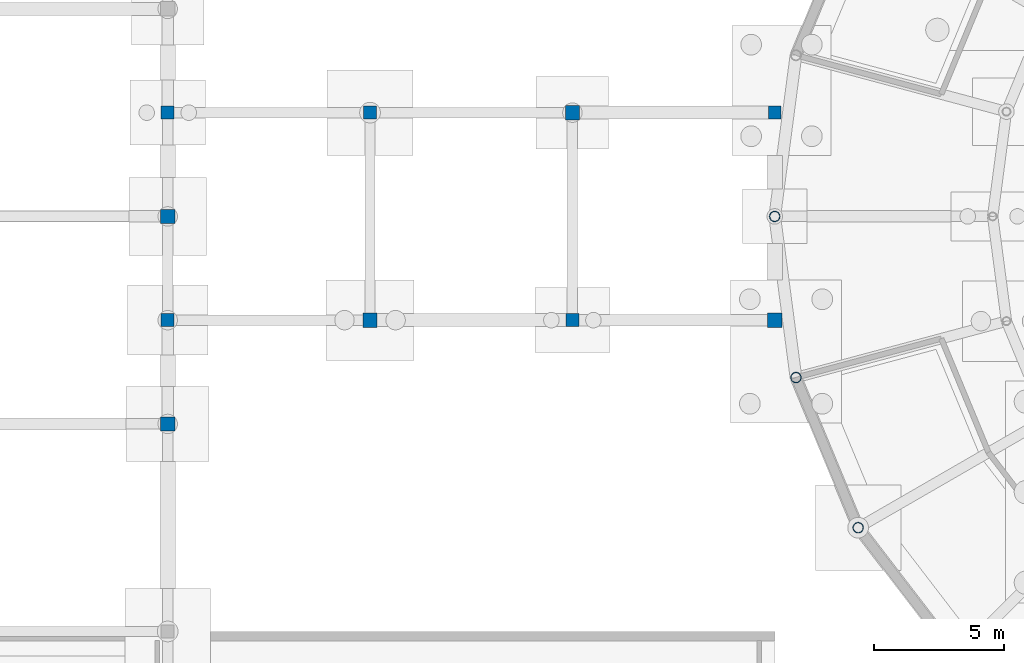
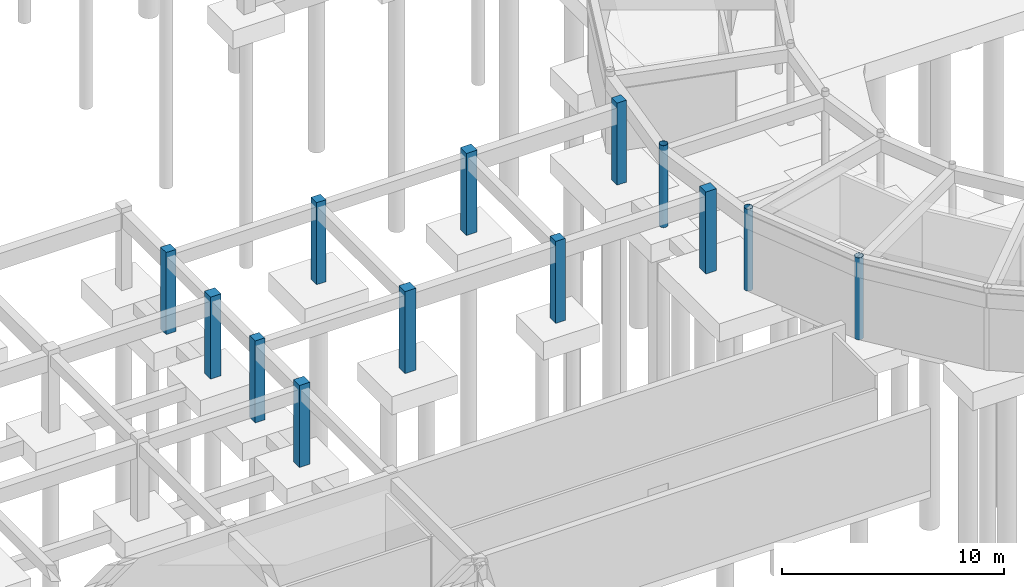
# One storey, part 11 of 43: 13 columns.
"""IFC4 building model written with IfcOpenShell, lengths in metres."""

import ifcopenshell
import ifcopenshell.guid

model = None  # the IFC model being written
_history = None  # IfcOwnerHistory: only IFC2X3 demands one
_inside = {}  # id of a spatial element -> (the spatial element, [elements in it])
_under = {}  # id of a project, library or spatial element -> (it, [spatial elements below it])
_declared = {}  # id of a project -> (the project, [libraries it declares])
_typed = {}  # id of a type object -> (the type object, [elements of that type])
_made_of = {}  # id of a material, layer set ... -> (it, [elements and type objects made of it])


def new_model(schema):
    """Start an empty IFC model of exactly this schema.

    Asked for "IFC4X3", IfcOpenShell would pick the latest addendum, in which some entities
    have other attributes; the version numbers below select the first issue.
    IFC2X3 requires an IfcOwnerHistory on every rooted entity: one is made here for all.
    """
    global model, _history
    if schema == "IFC4X3":
        model = ifcopenshell.file(schema_version=(4, 3, 0, 0))
    else:
        model = ifcopenshell.file(schema=schema)
    _inside.clear()
    _under.clear()
    _declared.clear()
    _typed.clear()
    _made_of.clear()
    _history = None
    if model.schema == "IFC2X3":
        org = make("IfcOrganization", Name="unknown")
        user = make(
            "IfcPersonAndOrganization",
            ThePerson=make("IfcPerson", FamilyName="unknown"),
            TheOrganization=org,
        )
        app = make(
            "IfcApplication",
            ApplicationDeveloper=org,
            Version="unknown",
            ApplicationFullName="unknown",
            ApplicationIdentifier="unknown",
        )
        _history = make(
            "IfcOwnerHistory",
            OwningUser=user,
            OwningApplication=app,
            ChangeAction="ADDED",
            CreationDate=0,
        )
    return model


def make(cls, **values):
    """One entity of the class cls with the attributes given. An attribute that is None is left unset."""
    return model.create_entity(
        cls, **{name: value for name, value in values.items() if value is not None}
    )


def rooted(cls, **values):
    """An entity with a GlobalId (a new one), such as an element, a storey or a relation."""
    return make(cls, GlobalId=ifcopenshell.guid.new(), OwnerHistory=_history, **values)


def si_unit(unit_type, name, prefix=None):
    """IfcSIUnit, for example si_unit("LENGTHUNIT", "METRE", prefix="MILLI")."""
    return make("IfcSIUnit", UnitType=unit_type, Prefix=prefix, Name=name)


def derived_unit(unit_type, elements):
    """IfcDerivedUnit: a product of units, each with its exponent."""
    return make(
        "IfcDerivedUnit",
        Elements=[
            make("IfcDerivedUnitElement", Unit=unit, Exponent=power)
            for unit, power in elements
        ],
        UnitType=unit_type,
    )


def assignment(units):
    """IfcUnitAssignment: the units of a project."""
    return None if units is None else make("IfcUnitAssignment", Units=units)


def point(xyz):
    """IfcCartesianPoint."""
    return None if xyz is None else make("IfcCartesianPoint", Coordinates=xyz)


def direction(xyz):
    """IfcDirection."""
    return None if xyz is None else make("IfcDirection", DirectionRatios=xyz)


def frame(location, z_axis=None, x_axis=None):
    """IfcAxis2Placement3D, a coordinate frame: its origin and axes. An axis left out is left unset."""
    return make(
        "IfcAxis2Placement3D",
        Location=point(location),
        Axis=direction(z_axis),
        RefDirection=direction(x_axis),
    )


def frame_2d(location, x_axis=None):
    """IfcAxis2Placement2D, a coordinate frame in the plane: its origin and x axis."""
    return make(
        "IfcAxis2Placement2D", Location=point(location), RefDirection=direction(x_axis)
    )


def origin():
    """The frame at (0, 0, 0) with its axes left unset."""
    return frame((0.0, 0.0, 0.0))


def origin_2d():
    """The frame at (0, 0) in the plane with its x axis left unset."""
    return frame_2d((0.0, 0.0))


def place(relative_to, where):
    """IfcLocalPlacement: puts the frame where relative to a parent placement (None: the world)."""
    return make(
        "IfcLocalPlacement", PlacementRelTo=relative_to, RelativePlacement=where
    )


def context(
    kind, dimensions, precision=None, world=None, true_north=None, identifier=None
):
    """IfcGeometricRepresentationContext, for example the 3D "Model" context."""
    return make(
        "IfcGeometricRepresentationContext",
        ContextIdentifier=identifier,
        ContextType=kind,
        CoordinateSpaceDimension=dimensions,
        Precision=precision,
        WorldCoordinateSystem=world,
        TrueNorth=true_north,
    )


def subcontext(parent, identifier, kind, view, scale=None):
    """IfcGeometricRepresentationSubContext, for example "Body" below "Model"."""
    return make(
        "IfcGeometricRepresentationSubContext",
        ContextIdentifier=identifier,
        ContextType=kind,
        ParentContext=parent,
        TargetScale=scale,
        TargetView=view,
    )


def project(units=None, contexts=None):
    """IfcProject with its units and contexts."""
    return rooted(
        "IfcProject",
        Name="project",
        RepresentationContexts=contexts,
        UnitsInContext=assignment(units),
    )


def spatial(cls, under=None, at=None, **own):
    """A site, building, storey or space (cls), placed at a placement, below another one or the project."""
    s = rooted(cls, ObjectPlacement=at, **own)
    if under is not None:
        _under.setdefault(under.id(), (under, []))[1].append(s)
    return s


def profile(cls, at=None, kind="AREA", **sizes):
    """A parametric profile (cls). Its sizes go by their IFC names, for example OverallWidth=200.0."""
    return make(cls, ProfileType=kind, Position=at, **sizes)


def rectangle(**sizes):
    """IfcRectangleProfileDef."""
    return profile("IfcRectangleProfileDef", **sizes)


def hollow_circle(**sizes):
    """IfcCircleHollowProfileDef."""
    return profile("IfcCircleHollowProfileDef", **sizes)


def extrude(swept, where, along, depth):
    """IfcExtrudedAreaSolid: the profile swept, set in the frame where, extruded along a direction by depth."""
    return make(
        "IfcExtrudedAreaSolid",
        SweptArea=swept,
        Position=where,
        ExtrudedDirection=direction(along),
        Depth=depth,
    )


def shape(context_of_items, identifier, shape_type, items):
    """IfcShapeRepresentation: the items that make up one representation, for example the "Body"."""
    return make(
        "IfcShapeRepresentation",
        ContextOfItems=context_of_items,
        RepresentationIdentifier=identifier,
        RepresentationType=shape_type,
        Items=items,
    )


def material(Name=None, Category=None):
    """IfcMaterial."""
    return make("IfcMaterial", Name=Name, Category=Category)


def material_profile(
    of_material, cross_section, Name=None, Category=None, Priority=None
):
    """IfcMaterialProfile: a cross section and its material."""
    return make(
        "IfcMaterialProfile",
        Name=Name,
        Material=of_material,
        Profile=cross_section,
        Priority=Priority,
        Category=Category,
    )


def profile_set(profiles, Name=None, composite=None):
    """IfcMaterialProfileSet."""
    return make(
        "IfcMaterialProfileSet",
        Name=Name,
        MaterialProfiles=profiles,
        CompositeProfile=composite,
    )


def made_of(thing, what):
    """Note that an element or type object is made of a material, layer set ...; save() writes the relation."""
    if what is not None:
        _made_of.setdefault(what.id(), (what, []))[1].append(thing)
    return thing


def type_object(cls, material=None, **own):
    """A type object (cls), such as IfcWallType, which elements share."""
    return made_of(rooted(cls, **own), material)


def element(
    cls,
    number,
    at=None,
    inside=None,
    cuts=None,
    type_object=None,
    material=None,
    context=None,
    identifier="Body",
    shape_type=None,
    held_by="IfcProductDefinitionShape",
    body=None,
    shapes=None,
    **own,
):
    """One element of the class cls, such as IfcWall. Its Tag is "e" and its number.

    at: its placement. inside: the storey or other place that contains it. cuts: it is an
    opening in that element (IfcRelVoidsElement). A single representation is given by context,
    identifier, shape_type and body (its items); several are given by shapes. held_by: the class
    of the entity that holds the representations. save() writes the other relations.
    """
    e = rooted(cls, Tag="e%d" % number, ObjectPlacement=at, **own)
    if body is not None:
        shapes = [shape(context, identifier, shape_type, body)]
    if shapes is not None:
        e.Representation = make(held_by, Representations=shapes)
    if inside is not None:
        _inside.setdefault(inside.id(), (inside, []))[1].append(e)
    if cuts is not None:
        rooted(
            "IfcRelVoidsElement", RelatingBuildingElement=cuts, RelatedOpeningElement=e
        )
    if type_object is not None:
        _typed.setdefault(type_object.id(), (type_object, []))[1].append(e)
    return made_of(e, material)


def aggregate(whole, parts):
    """IfcRelAggregates: a whole, such as a stair, and the parts it consists of."""
    return rooted("IfcRelAggregates", RelatingObject=whole, RelatedObjects=parts)


def save(model, path):
    """Write the relations noted so far, then the file.

    IfcRelAggregates (storeys below a building ...), IfcRelContainedInSpatialStructure (elements
    in a storey), IfcRelDefinesByType, IfcRelAssociatesMaterial and IfcRelDeclares: one each for
    every whole, place, type object, material and project.
    """
    for whole, parts in _under.values():
        aggregate(whole, parts)
    for where, things in _inside.values():
        rooted(
            "IfcRelContainedInSpatialStructure",
            RelatedElements=things,
            RelatingStructure=where,
        )
    for kind, things in _typed.values():
        rooted("IfcRelDefinesByType", RelatedObjects=things, RelatingType=kind)
    for what, things in _made_of.values():
        rooted("IfcRelAssociatesMaterial", RelatedObjects=things, RelatingMaterial=what)
    for by, libraries in _declared.values():
        rooted("IfcRelDeclares", RelatingContext=by, RelatedDefinitions=libraries)
    model.write(path)


model = new_model("IFC4")

# Units and contexts
model_context = context("Model", 3, precision=1e-05, world=origin(), true_north=direction((0.0, 1.0)))
body_context = subcontext(model_context, "Body", "Model", "MODEL_VIEW")
ifc_project = project(units=[si_unit("LENGTHUNIT", "METRE"), si_unit("AREAUNIT", "SQUARE_METRE"), si_unit("VOLUMEUNIT", "CUBIC_METRE"), si_unit("PLANEANGLEUNIT", "RADIAN"), si_unit("MASSUNIT", "GRAM", prefix="KILO"), derived_unit("THERMALTRANSMITTANCEUNIT", [(si_unit("POWERUNIT", "WATT"), 1), (si_unit("AREAUNIT", "SQUARE_METRE"), -1), (si_unit("THERMODYNAMICTEMPERATUREUNIT", "KELVIN"), -1)])], contexts=[model_context])

# Site, building, storey
site_placement = place(None, origin())
site = spatial("IfcSite", under=ifc_project, at=site_placement, CompositionType="ELEMENT")
building_placement = place(site_placement, origin())
building = spatial("IfcBuilding", under=site, at=building_placement, Name="Yasenodar Specialist Clinic", CompositionType="ELEMENT")
storey_placement = place(building_placement, frame((0.0, 0.0, -4.5)))
storey = spatial("IfcBuildingStorey", under=building, at=storey_placement, Name="B1", CompositionType="ELEMENT", Elevation=-4.5)

# Columns
ifc_material_1 = material(Name="Concrete C35/45", Category="concrete")
ifc_material_profile_1 = material_profile(ifc_material_1, rectangle(XDim=0.5, YDim=0.5, at=origin_2d()), Name="RC 500x500")
ifc_profile_set_1 = profile_set([ifc_material_profile_1], Name="Concrete C35/45")
column_type_1 = type_object("IfcColumnType", Name="COL-RC-500", PredefinedType="COLUMN", material=ifc_profile_set_1)
for number, where, z_axis, x_axis, name in (
    (1, (33.60009765625, 54.800048828125, 0.0), (0.0, 0.0, 1.0), (1.0, 0.0, 0.0), "B1 Column V6-065"),
    (2, (33.60009765625, 62.800048828125, 0.0), (0.0, 0.0, 1.0), (1.0, 0.0, 0.0), "B1 Column V6-067"),
    (3, (41.39990234375, 62.800048828125, 0.0), (0.0, 0.0, 1.0), (1.0, 0.0, 0.0), "B1 Column V6-075"),
    (4, (49.199951171875, 54.800048828125, 0.0), (0.0, 0.0, 1.0), (1.0, 0.0, 0.0), "B1 Column V6-079"),
    (5, (57.0, 62.800048828125, 0.0), (0.0, 0.0, 1.0), (1.0, 0.0, 0.0), "B1 Column V6-087"),
):
    element("IfcColumn", number, at=place(storey_placement, frame(where, z_axis=z_axis, x_axis=x_axis)), inside=storey, type_object=column_type_1, Name=name, PredefinedType="COLUMN", context=body_context, shape_type="SweptSolid", body=[
        extrude(rectangle(XDim=0.5, YDim=0.5, at=origin_2d()), origin(), (0.0, 0.0, 1.0), 4.5),
    ])
ifc_material_profile_2 = material_profile(ifc_material_1, rectangle(XDim=0.550048828125, YDim=0.550048828125, at=origin_2d()), Name="RC 550x550")
ifc_profile_set_2 = profile_set([ifc_material_profile_2], Name="Concrete C35/45")
column_type_2 = type_object("IfcColumnType", Name="COL-RC-550", PredefinedType="COLUMN", material=ifc_profile_set_2)
for number, where, z_axis, x_axis, name in (
    (6, (33.60009765625, 50.800048828125, 0.0), (0.0, 0.0, 1.0), (1.0, 0.0, 0.0), "B1 Column V4-064"),
    (7, (33.60009765625, 58.800048828125, 0.0), (0.0, 0.0, 1.0), (1.0, 0.0, 0.0), "B1 Column V4-066"),
    (8, (41.39990234375, 54.800048828125, 0.0), (0.0, 0.0, 1.0), (1.0, 0.0, 0.0), "B1 Column V6-074"),
    (9, (49.199951171875, 62.800048828125, 0.0), (0.0, 0.0, 1.0), (1.0, 0.0, 0.0), "B1 Column V6-080"),
    (10, (57.0, 54.800048828125, 0.0), (0.0, 0.0, 1.0), (1.0, 0.0, 0.0), "B1 Column V6-086"),
):
    element("IfcColumn", number, at=place(storey_placement, frame(where, z_axis=z_axis, x_axis=x_axis)), inside=storey, type_object=column_type_2, Name=name, PredefinedType="COLUMN", context=body_context, shape_type="SweptSolid", body=[
        extrude(rectangle(XDim=0.550048828125, YDim=0.550048828125, at=origin_2d()), origin(), (0.0, 0.0, 1.0), 4.5),
    ])
ifc_material_2 = material(Name="Steel S355", Category="steel")
ifc_material_profile_3 = material_profile(ifc_material_2, hollow_circle(Radius=0.203125, WallThickness=0.01611328125, at=origin_2d()), Name="CHS 406.4x16")
ifc_profile_set_3 = profile_set([ifc_material_profile_3], Name="Steel S355")
column_type_3 = type_object("IfcColumnType", Name="COL-ST-CHS406", PredefinedType="COLUMN", material=ifc_profile_set_3)
for number, where, z_axis, x_axis, name in (
    (11, (57.0, 58.800048828125, 0.0), (0.0, 0.0, 1.0), (1.0, 0.0, 0.0), "B1 Drum V1 Outer Column 13"),
    (12, (57.81787109375, 52.58837890625, 0.0), (0.0, 0.0, 1.0), (1.0, 0.0, 0.0), "B1 Drum V1 Outer Column 14"),
    (13, (60.21533203125, 46.800048828125, 0.0), (0.0, 0.0, 1.0), (1.0, 0.0, 0.0), "B1 Drum V1 Outer Column 15"),
):
    element("IfcColumn", number, at=place(storey_placement, frame(where, z_axis=z_axis, x_axis=x_axis)), inside=storey, type_object=column_type_3, Name=name, PredefinedType="COLUMN", context=body_context, shape_type="SweptSolid", body=[
        extrude(hollow_circle(Radius=0.203125, WallThickness=0.01611328125, at=origin_2d()), origin(), (0.0, 0.0, 1.0), 4.5),
    ])

save(model, "model.ifc")
